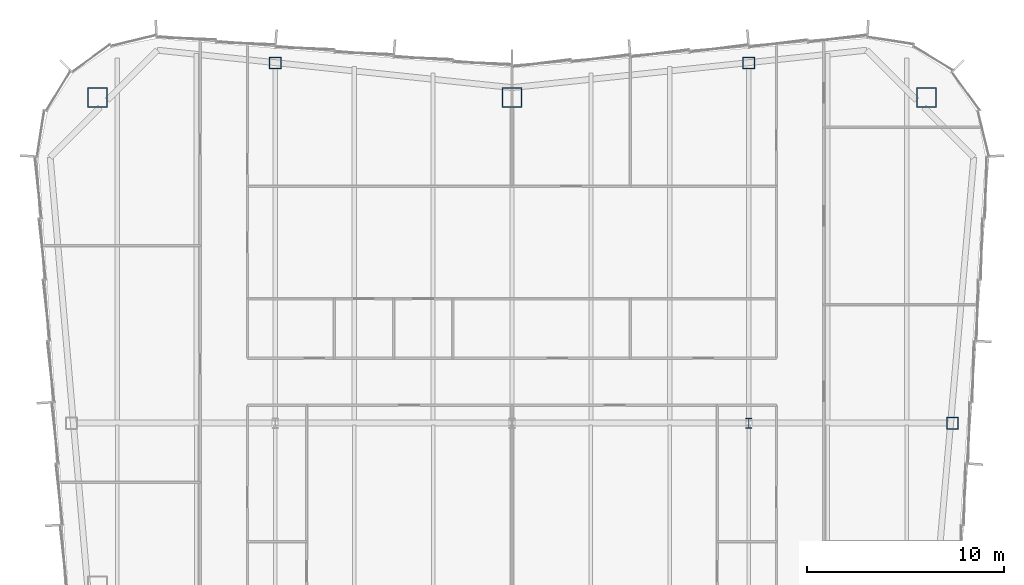
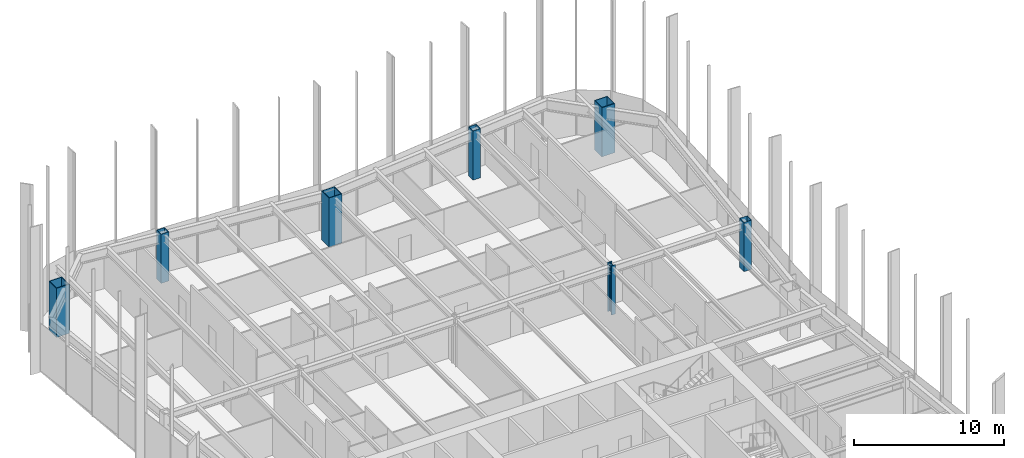
# One storey, part 2 of 15: 7 columns.
"""IFC4 building model written with IfcOpenShell, lengths in metres."""

from ifc_helpers import new_model, si_unit, direction, frame, origin, origin_2d, place, context, subcontext, project, spatial, hollow_rectangle, i_section, extrude, material, material_profile, profile_set, type_object, element, save


model = new_model("IFC4")

# Units and contexts
model_context = context("Model", 3, precision=1e-05, world=origin(), true_north=direction((0.0, 1.0)))
body_context = subcontext(model_context, "Body", "Model", "MODEL_VIEW")
ifc_project = project(units=[si_unit("LENGTHUNIT", "METRE"), si_unit("AREAUNIT", "SQUARE_METRE"), si_unit("VOLUMEUNIT", "CUBIC_METRE"), si_unit("PLANEANGLEUNIT", "RADIAN"), si_unit("MASSUNIT", "GRAM", prefix="KILO")], contexts=[model_context])

# Site, building, storey
site_placement = place(None, origin())
site = spatial("IfcSite", under=ifc_project, at=site_placement, CompositionType="ELEMENT")
building_placement = place(site_placement, origin())
building = spatial("IfcBuilding", under=site, at=building_placement, Name="Verdant Reach Tower", CompositionType="ELEMENT")
storey_placement = place(building_placement, frame((0.0, 0.0, 238.0)))
storey = spatial("IfcBuildingStorey", under=building, at=storey_placement, Name="L54", CompositionType="ELEMENT", Elevation=238.0)

# Columns
ifc_material = material(Name="Steel S460", Category="steel")
ifc_material_profile_1 = material_profile(ifc_material, i_section(OverallWidth=0.305908203125, OverallDepth=0.52392578125, WebThickness=0.012451171875, FlangeThickness=0.0400390625, FilletRadius=0.027099609375, at=origin_2d()), Name="HEM 500")
ifc_profile_set_1 = profile_set([ifc_material_profile_1], Name="Steel S460")
column_type_1 = type_object("IfcColumnType", Name="ST-COL-HEM500", PredefinedType="COLUMN", material=ifc_profile_set_1)
column_placement = place(storey_placement, frame((12.0, 49.5, 0.0), z_axis=(0.0, 0.0, 1.0), x_axis=(1.0, 0.0, 0.0)))
element("IfcColumn", 1, at=column_placement, inside=storey, type_object=column_type_1, Name="Interior column 3, L54", PredefinedType="COLUMN", context=body_context, shape_type="SweptSolid", body=[
    extrude(i_section(OverallWidth=0.305908203125, OverallDepth=0.52392578125, WebThickness=0.012451171875, FlangeThickness=0.0400390625, FilletRadius=0.027099609375, at=origin_2d()), origin(), (0.0, 0.0, 1.0), 4.0),
])
ifc_material_profile_2 = material_profile(ifc_material, hollow_rectangle(XDim=1.0, YDim=1.0, WallThickness=0.044921875, at=origin_2d()), Name="WB 1000x1000x45")
ifc_profile_set_2 = profile_set([ifc_material_profile_2], Name="Steel S460")
column_type_2 = type_object("IfcColumnType", Name="ST-COL-WB1000x1000x45", PredefinedType="COLUMN", material=ifc_profile_set_2)
for number, where, z_axis, x_axis, name in (
    (2, (-21.0, 66.0, 0.0), (0.0, 0.0, 1.0), (1.0, 0.0, 0.0), "Mega column north-west, L54"),
    (3, (0.0, 66.0, 0.0), (0.0, 0.0, 1.0), (1.0, 0.0, 0.0), "Mega column north, L54"),
    (4, (21.0, 66.0, 0.0), (0.0, 0.0, 1.0), (1.0, 0.0, 0.0), "Mega column north-east, L54"),
):
    element("IfcColumn", number, at=place(storey_placement, frame(where, z_axis=z_axis, x_axis=x_axis)), inside=storey, type_object=column_type_2, Name=name, PredefinedType="COLUMN", context=body_context, shape_type="SweptSolid", body=[
        extrude(hollow_rectangle(XDim=1.0, YDim=1.0, WallThickness=0.044921875, at=origin_2d()), origin(), (0.0, 0.0, 1.0), 4.0),
    ])
ifc_material_profile_3 = material_profile(ifc_material, hollow_rectangle(XDim=0.60009765625, YDim=0.60009765625, WallThickness=0.02490234375, at=origin_2d()), Name="WB 600x600x25")
ifc_profile_set_3 = profile_set([ifc_material_profile_3], Name="Steel S460")
column_type_3 = type_object("IfcColumnType", Name="ST-COL-WB600x600x25", PredefinedType="COLUMN", material=ifc_profile_set_3)
for number, where, z_axis, x_axis, name in (
    (5, (-12.0, 67.75, 0.0), (0.0, 0.0, 1.0), (1.0, 0.0, 0.0), "Perimeter column north 1, L54"),
    (6, (12.0, 67.75, 0.0), (0.0, 0.0, 1.0), (1.0, 0.0, 0.0), "Perimeter column north 2, L54"),
    (7, (22.319091796875, 49.5, 0.0), (0.0, 0.0, 1.0), (1.0, 0.0, 0.0), "Perimeter column east 2, L54"),
):
    element("IfcColumn", number, at=place(storey_placement, frame(where, z_axis=z_axis, x_axis=x_axis)), inside=storey, type_object=column_type_3, Name=name, PredefinedType="COLUMN", context=body_context, shape_type="SweptSolid", body=[
        extrude(hollow_rectangle(XDim=0.60009765625, YDim=0.60009765625, WallThickness=0.02490234375, at=origin_2d()), origin(), (0.0, 0.0, 1.0), 4.0),
    ])

save(model, "model.ifc")
